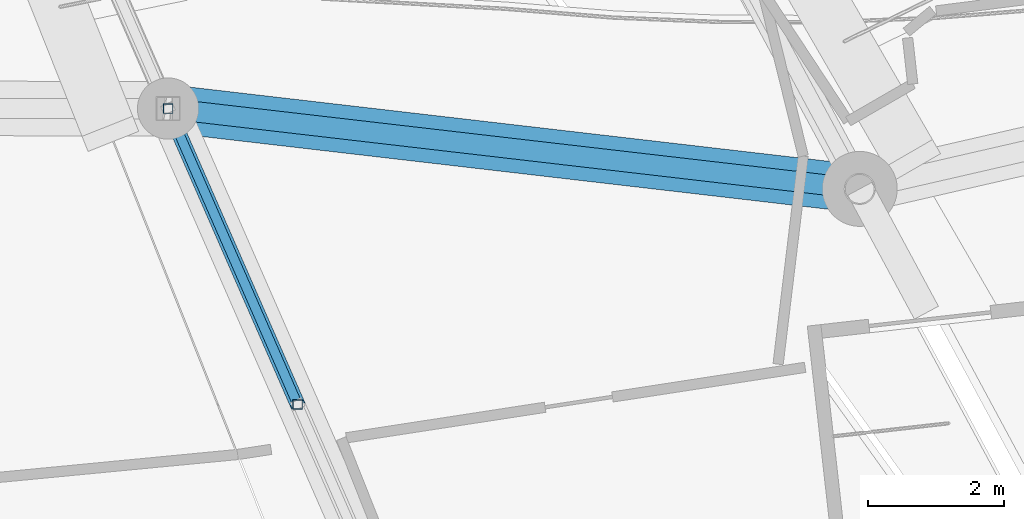
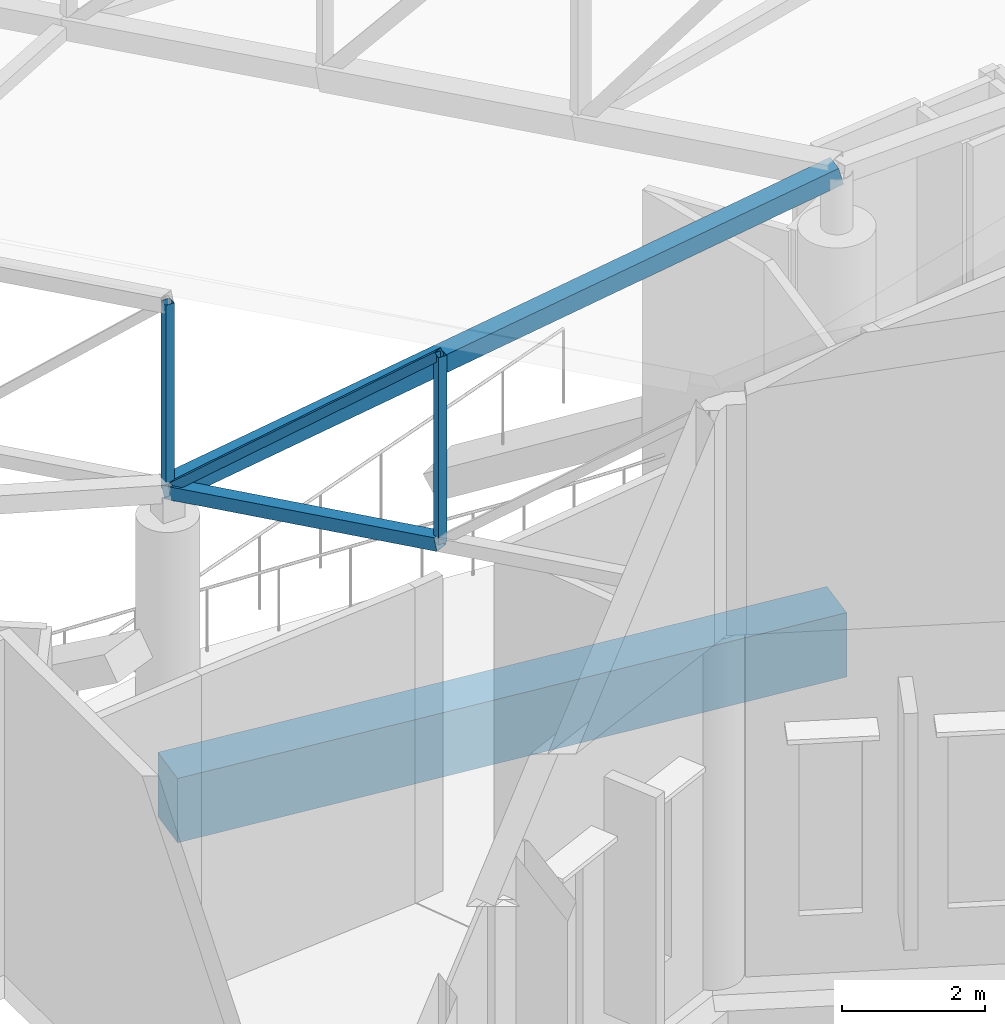
# One storey, part 69 of 344: 5 members, 1 beam.
"""IFC4 building model written with IfcOpenShell, lengths in metres."""

from ifc_helpers import new_model, si_unit, direction, frame, origin, origin_2d, place, context, subcontext, project, spatial, rectangle, hollow_rectangle, extrude, material, material_profile, profile_set, type_object, element, save


model = new_model("IFC4")

# Units and contexts
model_context = context("Model", 3, precision=1e-05, world=origin(), true_north=direction((0.0, 1.0)))
body_context = subcontext(model_context, "Body", "Model", "MODEL_VIEW")
ifc_project = project(units=[si_unit("LENGTHUNIT", "METRE"), si_unit("AREAUNIT", "SQUARE_METRE"), si_unit("VOLUMEUNIT", "CUBIC_METRE"), si_unit("PLANEANGLEUNIT", "RADIAN"), si_unit("MASSUNIT", "GRAM", prefix="KILO")], contexts=[model_context])

# Site, building, storey
site_placement = place(None, origin())
site = spatial("IfcSite", under=ifc_project, at=site_placement, CompositionType="ELEMENT")
building_placement = place(site_placement, origin())
building = spatial("IfcBuilding", under=site, at=building_placement, Name="Meseta Stadium", CompositionType="ELEMENT")
storey_placement = place(building_placement, frame((0.0, 0.0, 24.0)))
storey = spatial("IfcBuildingStorey", under=building, at=storey_placement, Name="L04", CompositionType="ELEMENT", Elevation=24.0)

# Beam
ifc_material_1 = material(Name="Concrete C40/50", Category="concrete")
ifc_material_profile_1 = material_profile(ifc_material_1, rectangle(XDim=0.699951171875, YDim=1.10009765625, at=origin_2d()), Name="RC 700x1100")
ifc_profile_set_1 = profile_set([ifc_material_profile_1], Name="Concrete C40/50")
beam_type = type_object("IfcBeamType", Name="RC beam 700x1100", PredefinedType="BEAM", material=ifc_profile_set_1)
beam_placement = place(storey_placement, frame((34.53076171875, -89.911865234375, -0.949951171875), z_axis=(0.993324132456, -0.115356698466, 0.0), x_axis=(0.115356698466, 0.993324132456, 0.0)))
element("IfcBeam", 1, at=beam_placement, inside=storey, type_object=beam_type, Name="L04 ring beam frame 49 line P", PredefinedType="BEAM", context=body_context, shape_type="SweptSolid", body=[
    extrude(rectangle(XDim=0.699951171875, YDim=1.10009765625, at=origin_2d()), origin(), (0.0, 0.0, 1.0), 10.219970703125),
])

# Members
ifc_material_2 = material(Name="Steel S355", Category="steel")
ifc_material_profile_2 = material_profile(ifc_material_2, hollow_rectangle(XDim=0.139892578125, YDim=0.139892578125, WallThickness=0.0048828125, at=origin_2d()), Name="SHS 140x140x5")
ifc_profile_set_2 = profile_set([ifc_material_profile_2], Name="Steel S355")
member_type_1 = type_object("IfcMemberType", Name="SHS 140x140x5 diagonal", PredefinedType="BRACE", material=ifc_profile_set_2)
member_1_placement = place(storey_placement, frame((34.53076171875, -89.911865234375, 4.338134765625), z_axis=(0.297968152162, -0.680758517132, 0.669165765449), x_axis=(0.916089968182, 0.400972779869, 0.0)))
element("IfcMember", 2, at=member_1_placement, inside=storey, type_object=member_type_1, Name="ROOF TRUSS RT-49 diagonal", PredefinedType="BRACE", context=body_context, shape_type="SweptSolid", body=[
    extrude(hollow_rectangle(XDim=0.139892578125, YDim=0.139892578125, WallThickness=0.0048828125, at=origin_2d()), origin(), (0.0, 0.0, 1.0), 6.381103515625),
])
ifc_material_3 = material(Name="Steel S355", Category="steel")
ifc_material_profile_3 = material_profile(ifc_material_3, hollow_rectangle(XDim=0.139892578125, YDim=0.139892578125, WallThickness=0.0048828125, at=origin_2d()), Name="SHS 140x140x5")
ifc_profile_set_3 = profile_set([ifc_material_profile_3], Name="Steel S355")
member_type_2 = type_object("IfcMemberType", Name="SHS 140x140x5 post", PredefinedType="POST", material=ifc_profile_set_3)
member_2_placement = place(storey_placement, frame((34.53076171875, -89.911865234375, 4.338134765625), z_axis=(0.0, 0.0, 1.0), x_axis=(1.0, 0.0, 0.0)))
element("IfcMember", 3, at=member_2_placement, inside=storey, type_object=member_type_2, Name="ROOF TRUSS RT-49 post", PredefinedType="POST", context=body_context, shape_type="SweptSolid", body=[
    extrude(hollow_rectangle(XDim=0.139892578125, YDim=0.139892578125, WallThickness=0.0048828125, at=origin_2d()), origin(), (0.0, 0.0, 1.0), 3.2001953125),
])
member_3_placement = place(storey_placement, frame((36.43212890625, -94.255859375, 5.408203125), z_axis=(0.0, 0.0, 1.0), x_axis=(1.0, 0.0, 0.0)))
element("IfcMember", 4, at=member_3_placement, inside=storey, type_object=member_type_2, Name="ROOF TRUSS RT-49 post", PredefinedType="POST", context=body_context, shape_type="SweptSolid", body=[
    extrude(hollow_rectangle(XDim=0.139892578125, YDim=0.139892578125, WallThickness=0.0048828125, at=origin_2d()), origin(), (0.0, 0.0, 1.0), 3.199951171875),
])
ifc_material_4 = material(Name="Steel S355", Category="steel")
ifc_material_profile_4 = material_profile(ifc_material_4, hollow_rectangle(XDim=0.219970703125, YDim=0.219970703125, WallThickness=0.008056640625, at=origin_2d()), Name="SHS 220x220x8")
ifc_profile_set_4 = profile_set([ifc_material_profile_4], Name="Steel S355")
member_type_3 = type_object("IfcMemberType", Name="SHS 220x220x8 bottom chord", PredefinedType="CHORD", material=ifc_profile_set_4)
member_4_placement = place(storey_placement, frame((34.53076171875, -89.911865234375, 4.338134765625), z_axis=(0.391137339018, -0.893619244113, 0.220127755125), x_axis=(0.916089968182, 0.400972779869, 0.0)))
element("IfcMember", 5, at=member_4_placement, inside=storey, type_object=member_type_3, Name="ROOF TRUSS RT-49 bottom chord", PredefinedType="CHORD", context=body_context, shape_type="SweptSolid", body=[
    extrude(hollow_rectangle(XDim=0.219970703125, YDim=0.219970703125, WallThickness=0.008056640625, at=origin_2d()), origin(), (0.0, 0.0, 1.0), 4.861083984375),
])
ifc_material_5 = material(Name="Steel S355", Category="steel")
ifc_material_profile_5 = material_profile(ifc_material_5, hollow_rectangle(XDim=0.300048828125, YDim=0.300048828125, WallThickness=0.010009765625, at=origin_2d()), Name="SHS 300x300x10")
ifc_profile_set_5 = profile_set([ifc_material_profile_5], Name="Steel S355")
member_type_4 = type_object("IfcMemberType", Name="SHS 300x300x10 pivot strut", PredefinedType="STRUT", material=ifc_profile_set_5)
member_5_placement = place(storey_placement, frame((34.53076171875, -89.911865234375, 4.338134765625), z_axis=(0.962631153881, -0.111792262087, 0.246665262484), x_axis=(0.115356698466, 0.993324132456, 0.0)))
element("IfcMember", 6, at=member_5_placement, inside=storey, type_object=member_type_4, Name="ROOF PIVOT STRUT RT-49/50", PredefinedType="STRUT", context=body_context, shape_type="SweptSolid", body=[
    extrude(hollow_rectangle(XDim=0.300048828125, YDim=0.300048828125, WallThickness=0.010009765625, at=origin_2d()), origin(), (0.0, 0.0, 1.0), 10.5458984375),
])

save(model, "model.ifc")
